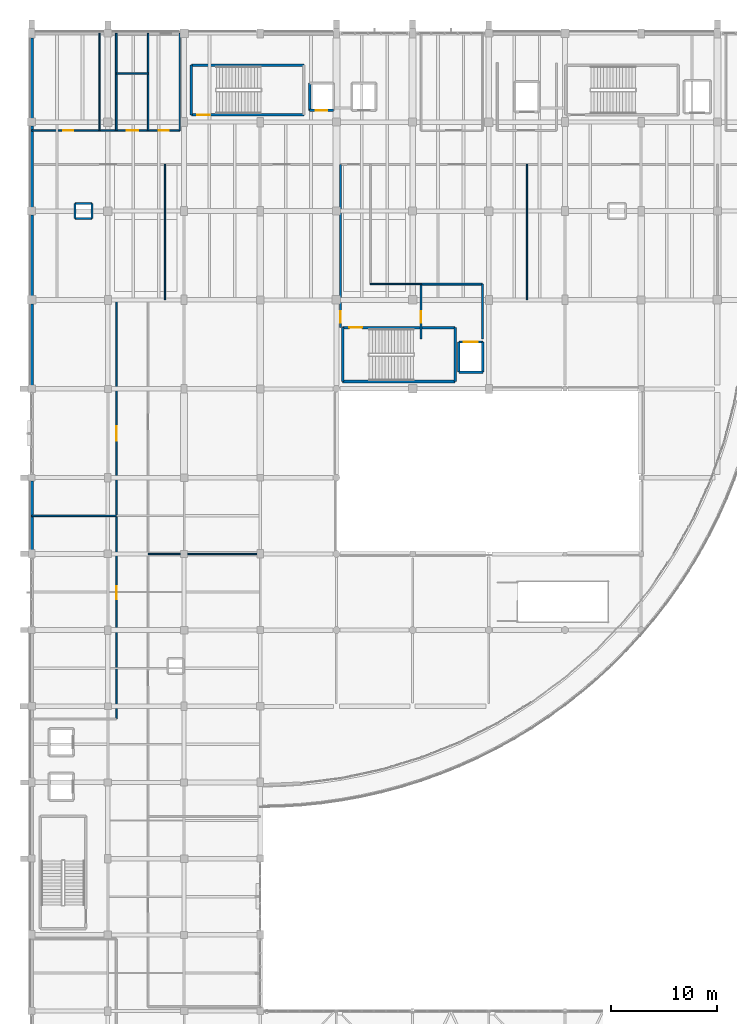
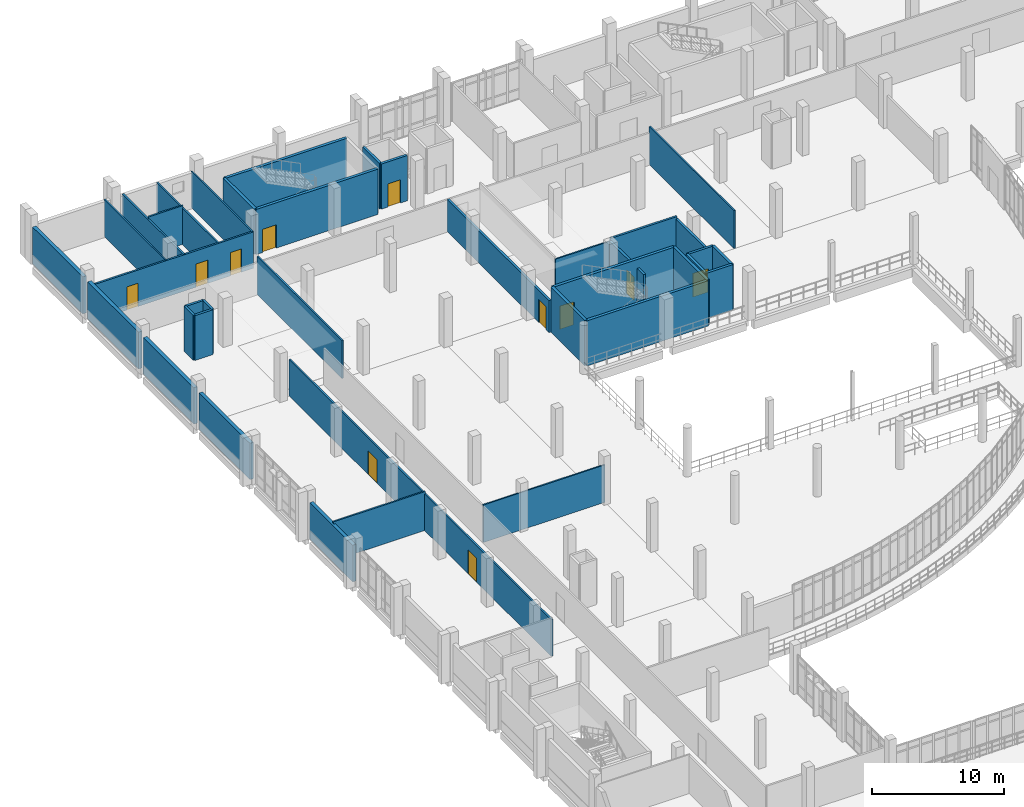
# One storey, part 103 of 116: 38 walls, 11 doors, 11 openings.
"""IFC4 building model written with IfcOpenShell, lengths in metres."""

from ifc_helpers import new_model, si_unit, direction, frame, frame_2d, origin, place, context, subcontext, project, spatial, rectangle, extrude, material, layer, layer_set, type_object, element, fill, save


model = new_model("IFC4")

# Units and contexts
model_context = context("Model", 3, precision=1e-05, world=origin(), true_north=direction((0.0, 1.0)))
body_context = subcontext(model_context, "Body", "Model", "MODEL_VIEW")
ifc_project = project(units=[si_unit("LENGTHUNIT", "METRE"), si_unit("AREAUNIT", "SQUARE_METRE"), si_unit("VOLUMEUNIT", "CUBIC_METRE"), si_unit("PLANEANGLEUNIT", "RADIAN"), si_unit("MASSUNIT", "GRAM", prefix="KILO")], contexts=[model_context])

# Site, building, storey
site_placement = place(None, origin())
site = spatial("IfcSite", under=ifc_project, at=site_placement, CompositionType="ELEMENT")
building_placement = place(site_placement, origin())
building = spatial("IfcBuilding", under=site, at=building_placement, Name="Kalluvel Institute of Natural Sciences", CompositionType="ELEMENT")
storey_placement = place(building_placement, frame((0.0, 0.0, 14.39990234375)))
storey = spatial("IfcBuildingStorey", under=building, at=storey_placement, Name="L03", CompositionType="ELEMENT", Elevation=14.39990234375)

# Wall, opening, door
ifc_material_1 = material(Name="Concrete M40", Category="concrete")
ifc_layer_1 = layer(ifc_material_1, 0.25)
ifc_layer_set_1 = layer_set([ifc_layer_1], Name="Concrete M40")
wall_type_1 = type_object("IfcWallType", Name="WL-CORE-250", PredefinedType="SHEAR", material=ifc_layer_set_1)
wall_1_placement = place(storey_placement, frame((29.0849609375, 120.284912109375, 0.0), z_axis=(0.0, 0.0, 1.0), x_axis=(1.0, 0.0, 0.0)))
wall_1 = element("IfcWall", 1, at=wall_1_placement, inside=storey, type_object=wall_type_1, Name="ST1 L03 core wall S", PredefinedType="SHEAR", context=body_context, shape_type="SweptSolid", body=[
    extrude(rectangle(XDim=10.630126953125, YDim=0.25, at=frame_2d((5.31494140625, 0.0))), origin(), (0.0, 0.0, 1.0), 4.175048828125),
])
opening_1_placement = place(wall_1_placement, frame((0.550048828125, 0.0, 0.0)))
opening_1 = element("IfcOpeningElement", 2, at=opening_1_placement, cuts=wall_1, Name="Opening DS-005", PredefinedType="OPENING", context=body_context, shape_type="SweptSolid", body=[
    extrude(rectangle(XDim=1.199951171875, YDim=2.14990234375, at=frame_2d((0.60009765625, 1.074951171875))), frame((0.0, 0.135009765625, 0.0), z_axis=(0.0, -1.0, 0.0), x_axis=(1.0, 0.0, 0.0)), (0.0, 0.0, 1.0), 0.27001953125),
])
ifc_material_2 = material(Name="Galvanized Fire-Rated Steel", Category="steel")
door_type_1 = type_object("IfcDoorType", Name="DR-ST-1200", OperationType="NOTDEFINED", PredefinedType="DOOR", material=ifc_material_2)
door_1_placement = place(opening_1_placement, origin())
door_1 = element("IfcDoor", 3, at=door_1_placement, inside=storey, type_object=door_type_1, Name="ST1 L03 protected stair door DS-005", OperationType="SINGLE_SWING_LEFT", OverallHeight=2.14990234375, OverallWidth=1.199951171875, PredefinedType="DOOR", context=body_context, shape_type="SweptSolid", body=[
    extrude(rectangle(XDim=1.199951171875, YDim=2.14990234375, at=frame_2d((0.60009765625, 1.074951171875))), frame((0.0, 0.02490234375, 0.0), z_axis=(0.0, -1.0, 0.0), x_axis=(1.0, 0.0, 0.0)), (0.0, 0.0, 1.0), 0.050048828125),
])
fill(opening_1, door_1)

# Walls
wall_2_placement = place(storey_placement, frame((39.715087890625, 124.985107421875, 0.0), z_axis=(0.0, 0.0, 1.0), x_axis=(-1.0, 0.0, 0.0)))
element("IfcWall", 4, at=wall_2_placement, inside=storey, type_object=wall_type_1, Name="ST1 L03 core wall N", PredefinedType="SHEAR", context=body_context, shape_type="SweptSolid", body=[
    extrude(rectangle(XDim=10.630126953125, YDim=0.25, at=frame_2d((5.31494140625, 0.0))), origin(), (0.0, 0.0, 1.0), 4.175048828125),
])
wall_3_placement = place(storey_placement, frame((29.0849609375, 124.985107421875, 0.0), z_axis=(0.0, 0.0, 1.0), x_axis=(0.0, -1.0, 0.0)))
element("IfcWall", 5, at=wall_3_placement, inside=storey, type_object=wall_type_1, Name="ST1 L03 core wall W", PredefinedType="SHEAR", context=body_context, shape_type="SweptSolid", body=[
    extrude(rectangle(XDim=4.7001953125, YDim=0.25, at=frame_2d((2.35009765625, 0.0))), origin(), (0.0, 0.0, 1.0), 4.175048828125),
])
wall_4_placement = place(storey_placement, frame((43.385009765625, 95.0849609375, 0.0), z_axis=(0.0, 0.0, 1.0), x_axis=(1.0, 0.0, 0.0)))
element("IfcWall", 6, at=wall_4_placement, inside=storey, type_object=wall_type_1, Name="ST3 L03 core wall S", PredefinedType="SHEAR", context=body_context, shape_type="SweptSolid", body=[
    extrude(rectangle(XDim=10.6298828125, YDim=0.25, at=frame_2d((5.31494140625, 0.0))), origin(), (0.0, 0.0, 1.0), 4.175048828125),
])
wall_5_placement = place(storey_placement, frame((54.014892578125, 95.0849609375, 0.0), z_axis=(0.0, 0.0, 1.0), x_axis=(0.0, 1.0, 0.0)))
element("IfcWall", 7, at=wall_5_placement, inside=storey, type_object=wall_type_1, Name="ST3 L03 core wall E", PredefinedType="SHEAR", context=body_context, shape_type="SweptSolid", body=[
    extrude(rectangle(XDim=5.10009765625, YDim=0.25, at=frame_2d((2.550048828125, 0.0))), origin(), (0.0, 0.0, 1.0), 4.175048828125),
])

# Wall, opening, door
wall_6_placement = place(storey_placement, frame((54.014892578125, 100.18505859375, 0.0), z_axis=(0.0, 0.0, 1.0), x_axis=(-1.0, 0.0, 0.0)))
wall_6 = element("IfcWall", 8, at=wall_6_placement, inside=storey, type_object=wall_type_1, Name="ST3 L03 core wall N", PredefinedType="SHEAR", context=body_context, shape_type="SweptSolid", body=[
    extrude(rectangle(XDim=10.6298828125, YDim=0.25, at=frame_2d((5.31494140625, 0.0))), origin(), (0.0, 0.0, 1.0), 4.175048828125),
])
opening_2_placement = place(wall_6_placement, frame((8.780029296875, 0.0, 0.0)))
opening_2 = element("IfcOpeningElement", 9, at=opening_2_placement, cuts=wall_6, Name="Opening DS-027", PredefinedType="OPENING", context=body_context, shape_type="SweptSolid", body=[
    extrude(rectangle(XDim=1.199951171875, YDim=2.14990234375, at=frame_2d((0.60009765625, 1.074951171875))), frame((0.0, 0.135009765625, 0.0), z_axis=(0.0, -1.0, 0.0), x_axis=(1.0, 0.0, 0.0)), (0.0, 0.0, 1.0), 0.27001953125),
])
door_2_placement = place(opening_2_placement, origin())
door_2 = element("IfcDoor", 10, at=door_2_placement, inside=storey, type_object=door_type_1, Name="ST3 L03 protected stair door DS-027", OperationType="SINGLE_SWING_LEFT", OverallHeight=2.14990234375, OverallWidth=1.199951171875, PredefinedType="DOOR", context=body_context, shape_type="SweptSolid", body=[
    extrude(rectangle(XDim=1.199951171875, YDim=2.14990234375, at=frame_2d((0.60009765625, 1.074951171875))), frame((0.0, 0.02490234375, 0.0), z_axis=(0.0, -1.0, 0.0), x_axis=(1.0, 0.0, 0.0)), (0.0, 0.0, 1.0), 0.050048828125),
])
fill(opening_2, door_2)

# Walls
wall_7_placement = place(storey_placement, frame((43.385009765625, 100.18505859375, 0.0), z_axis=(0.0, 0.0, 1.0), x_axis=(0.0, -1.0, 0.0)))
element("IfcWall", 11, at=wall_7_placement, inside=storey, type_object=wall_type_1, Name="ST3 L03 core wall W", PredefinedType="SHEAR", context=body_context, shape_type="SweptSolid", body=[
    extrude(rectangle(XDim=5.10009765625, YDim=0.25, at=frame_2d((2.550048828125, 0.0))), origin(), (0.0, 0.0, 1.0), 4.175048828125),
])
ifc_material_3 = material(Name="Sadarahalli Grey Granite Ashlar Concrete M40", Category="masonry")
ifc_layer_2 = layer(ifc_material_3, 0.300048828125)
ifc_layer_set_2 = layer_set([ifc_layer_2], Name="Sadarahalli Grey Granite Ashlar Concrete M40")
wall_type_2 = type_object("IfcWallType", Name="WL-EXT-300", PredefinedType="SOLIDWALL", material=ifc_layer_set_2)
wall_8_placement = place(storey_placement, frame((14.0, 79.179931640625, 0.0), z_axis=(0.0, 0.0, 1.0), x_axis=(0.0, 1.0, 0.0)))
element("IfcWall", 12, at=wall_8_placement, inside=storey, type_object=wall_type_2, Name="L03 Sadarahalli granite exterior wall WL-EXT-L03-0175", PredefinedType="SOLIDWALL", context=body_context, shape_type="SweptSolid", body=[
    extrude(rectangle(XDim=6.51513671875, YDim=0.300048828125, at=frame_2d((3.257568359375, 0.0))), origin(), (0.0, 0.0, 1.0), 3.375),
])
wall_9_placement = place(storey_placement, frame((14.0, 94.72998046875, 0.0), z_axis=(0.0, 0.0, 1.0), x_axis=(0.0, 1.0, 0.0)))
element("IfcWall", 13, at=wall_9_placement, inside=storey, type_object=wall_type_2, Name="L03 Sadarahalli granite exterior wall WL-EXT-L03-0176", PredefinedType="SOLIDWALL", context=body_context, shape_type="SweptSolid", body=[
    extrude(rectangle(XDim=7.68994140625, YDim=0.300048828125, at=frame_2d((3.844970703125, 0.0))), origin(), (0.0, 0.0, 1.0), 3.35498046875),
])
ifc_layer_3 = layer(ifc_material_3, 0.320068359375)
ifc_layer_set_3 = layer_set([ifc_layer_3], Name="Sadarahalli Grey Granite Ashlar Concrete M40")
wall_type_3 = type_object("IfcWallType", Name="WL-EXT-320", PredefinedType="SOLIDWALL", material=ifc_layer_set_3)
wall_10_placement = place(storey_placement, frame((14.0, 103.179931640625, 0.0), z_axis=(0.0, 0.0, 1.0), x_axis=(0.0, 1.0, 0.0)))
element("IfcWall", 14, at=wall_10_placement, inside=storey, type_object=wall_type_3, Name="L03 Sadarahalli granite exterior wall WL-EXT-L03-0047", PredefinedType="SOLIDWALL", context=body_context, shape_type="SweptSolid", body=[
    extrude(rectangle(XDim=7.6650390625, YDim=0.320068359375, at=frame_2d((3.83251953125, 0.0))), origin(), (0.0, 0.0, 1.0), 3.35498046875),
])
wall_11_placement = place(storey_placement, frame((14.0, 111.554931640625, 0.0), z_axis=(0.0, 0.0, 1.0), x_axis=(0.0, 1.0, 0.0)))
element("IfcWall", 15, at=wall_11_placement, inside=storey, type_object=wall_type_3, Name="L03 Sadarahalli granite exterior wall WL-EXT-L03-0048", PredefinedType="SOLIDWALL", context=body_context, shape_type="SweptSolid", body=[
    extrude(rectangle(XDim=7.690185546875, YDim=0.320068359375, at=frame_2d((3.84521484375, 0.0))), origin(), (0.0, 0.0, 1.0), 3.405029296875),
])
wall_12_placement = place(storey_placement, frame((14.0, 119.955078125, 0.0), z_axis=(0.0, 0.0, 1.0), x_axis=(0.0, 1.0, 0.0)))
element("IfcWall", 16, at=wall_12_placement, inside=storey, type_object=wall_type_3, Name="L03 Sadarahalli granite exterior wall WL-EXT-L03-0049", PredefinedType="SOLIDWALL", context=body_context, shape_type="SweptSolid", body=[
    extrude(rectangle(XDim=7.614990234375, YDim=0.320068359375, at=frame_2d((3.8076171875, 0.0))), origin(), (0.0, 0.0, 1.0), 3.405029296875),
])
ifc_material_4 = material(Name="Autoclaved Aerated Concrete Masonry Block", Category="masonry")
ifc_layer_4 = layer(ifc_material_4, 0.179931640625)
ifc_layer_set_4 = layer_set([ifc_layer_4], Name="Autoclaved Aerated Concrete Masonry Block")
wall_type_4 = type_object("IfcWallType", Name="WL-FIRE-180", PredefinedType="SOLIDWALL", material=ifc_layer_set_4)
wall_13_placement = place(storey_placement, frame((50.800048828125, 104.300048828125, 0.0), z_axis=(0.0, 0.0, 1.0), x_axis=(1.0, 0.0, 0.0)))
element("IfcWall", 17, at=wall_13_placement, inside=storey, type_object=wall_type_4, Name="L03 interior fire wall WL-INT-L03-0169", PredefinedType="SOLIDWALL", context=body_context, shape_type="SweptSolid", body=[
    extrude(rectangle(XDim=5.800048828125, YDim=0.179931640625, at=frame_2d((2.89990234375, 0.0))), origin(), (0.0, 0.0, 1.0), 3.56005859375),
])

# Wall, opening, door
ifc_layer_5 = layer(ifc_material_4, 0.199951171875)
ifc_layer_set_5 = layer_set([ifc_layer_5], Name="Autoclaved Aerated Concrete Masonry Block")
wall_type_5 = type_object("IfcWallType", Name="WL-FIRE-200", PredefinedType="SOLIDWALL", material=ifc_layer_set_5)
wall_14_placement = place(storey_placement, frame((50.800048828125, 99.10009765625, 0.0), z_axis=(0.0, 0.0, 1.0), x_axis=(0.0, 1.0, 0.0)))
wall_14 = element("IfcWall", 18, at=wall_14_placement, inside=storey, type_object=wall_type_5, Name="L03 interior fire wall WL-INT-L03-0167", PredefinedType="SOLIDWALL", context=body_context, shape_type="SweptSolid", body=[
    extrude(rectangle(XDim=5.199951171875, YDim=0.199951171875, at=frame_2d((2.60009765625, 0.0))), origin(), (0.0, 0.0, 1.0), 3.360107421875),
])
opening_3_placement = place(wall_14_placement, frame((1.550048828125, 0.0, 0.0)))
opening_3 = element("IfcOpeningElement", 19, at=opening_3_placement, cuts=wall_14, Name="Opening D-145", PredefinedType="OPENING", context=body_context, shape_type="SweptSolid", body=[
    extrude(rectangle(XDim=1.10009765625, YDim=2.14990234375, at=frame_2d((0.550048828125, 1.074951171875))), frame((0.0, 0.10986328125, 0.0), z_axis=(0.0, -1.0, 0.0), x_axis=(1.0, 0.0, 0.0)), (0.0, 0.0, 1.0), 0.219970703125),
])
door_type_2 = type_object("IfcDoorType", Name="DR-FD60-1100", OperationType="NOTDEFINED", PredefinedType="DOOR", material=ifc_material_2)
door_3_placement = place(opening_3_placement, origin())
door_3 = element("IfcDoor", 20, at=door_3_placement, inside=storey, type_object=door_type_2, Name="L03 ST3-FF2 link door D-145", OperationType="SINGLE_SWING_LEFT", OverallHeight=2.14990234375, OverallWidth=1.10009765625, PredefinedType="DOOR", context=body_context, shape_type="SweptSolid", body=[
    extrude(rectangle(XDim=1.10009765625, YDim=2.14990234375, at=frame_2d((0.550048828125, 1.074951171875))), frame((0.0, 0.02490234375, 0.0), z_axis=(0.0, -1.0, 0.0), x_axis=(1.0, 0.0, 0.0)), (0.0, 0.0, 1.0), 0.050048828125),
])
fill(opening_3, door_3)

# Wall
wall_15_placement = place(storey_placement, frame((56.60009765625, 99.10009765625, 0.0), z_axis=(0.0, 0.0, 1.0), x_axis=(0.0, 1.0, 0.0)))
element("IfcWall", 21, at=wall_15_placement, inside=storey, type_object=wall_type_5, Name="L03 interior fire wall WL-INT-L03-0168", PredefinedType="SOLIDWALL", context=body_context, shape_type="SweptSolid", body=[
    extrude(rectangle(XDim=5.199951171875, YDim=0.199951171875, at=frame_2d((2.60009765625, 0.0))), origin(), (0.0, 0.0, 1.0), 3.360107421875),
])

# Wall, opening, door
wall_16_placement = place(storey_placement, frame((43.199951171875, 100.199951171875, 0.0), z_axis=(0.0, 0.0, 1.0), x_axis=(0.0, 1.0, 0.0)))
wall_16 = element("IfcWall", 22, at=wall_16_placement, inside=storey, type_object=wall_type_5, Name="L03 interior fire wall WL-INT-L03-0170", PredefinedType="SOLIDWALL", context=body_context, shape_type="SweptSolid", body=[
    extrude(rectangle(XDim=15.400146484375, YDim=0.199951171875, at=frame_2d((7.7001953125, 0.0))), origin(), (0.0, 0.0, 1.0), 2.960205078125),
])
opening_4_placement = place(wall_16_placement, frame((0.449951171875, 0.0, 0.0)))
opening_4 = element("IfcOpeningElement", 23, at=opening_4_placement, cuts=wall_16, Name="Opening D-146", PredefinedType="OPENING", context=body_context, shape_type="SweptSolid", body=[
    extrude(rectangle(XDim=1.10009765625, YDim=2.14990234375, at=frame_2d((0.550048828125, 1.074951171875))), frame((0.0, 0.10986328125, 0.0), z_axis=(0.0, -1.0, 0.0), x_axis=(1.0, 0.0, 0.0)), (0.0, 0.0, 1.0), 0.219970703125),
])
door_4_placement = place(opening_4_placement, origin())
door_4 = element("IfcDoor", 24, at=door_4_placement, inside=storey, type_object=door_type_2, Name="L03 Concourse to Central Stair door D-146", OperationType="SINGLE_SWING_LEFT", OverallHeight=2.14990234375, OverallWidth=1.10009765625, PredefinedType="DOOR", context=body_context, shape_type="SweptSolid", body=[
    extrude(rectangle(XDim=1.10009765625, YDim=2.14990234375, at=frame_2d((0.550048828125, 1.074951171875))), frame((0.0, 0.02490234375, 0.0), z_axis=(0.0, -1.0, 0.0), x_axis=(1.0, 0.0, 0.0)), (0.0, 0.0, 1.0), 0.050048828125),
])
fill(opening_4, door_4)

# Walls
ifc_material_5 = material(Name="Acoustic Gypsum Twin-Stud Partition", Category="gypsum")
ifc_layer_6 = layer(ifc_material_5, 0.1201171875)
ifc_layer_set_6 = layer_set([ifc_layer_6], Name="Acoustic Gypsum Twin-Stud Partition")
wall_type_6 = type_object("IfcWallType", Name="WL-PART-120", PredefinedType="PARTITIONING", material=ifc_layer_set_6)
wall_17_placement = place(storey_placement, frame((46.0, 104.300048828125, 0.0), z_axis=(0.0, 0.0, 1.0), x_axis=(1.0, 0.0, 0.0)))
element("IfcWall", 25, at=wall_17_placement, inside=storey, type_object=wall_type_6, Name="L03 interior partition wall WL-INT-L03-0172", PredefinedType="PARTITIONING", context=body_context, shape_type="SweptSolid", body=[
    extrude(rectangle(XDim=4.800048828125, YDim=0.1201171875, at=frame_2d((2.39990234375, 0.0))), origin(), (0.0, 0.0, 1.0), 3.31005859375),
])
wall_18_placement = place(storey_placement, frame((20.39990234375, 118.800048828125, 0.0), z_axis=(0.0, 0.0, 1.0), x_axis=(0.0, 1.0, 0.0)))
element("IfcWall", 26, at=wall_18_placement, inside=storey, type_object=wall_type_6, Name="L03 interior partition wall WL-INT-L03-0175", PredefinedType="PARTITIONING", context=body_context, shape_type="SweptSolid", body=[
    extrude(rectangle(XDim=9.199951171875, YDim=0.1201171875, at=frame_2d((4.60009765625, 0.0))), origin(), (0.0, 0.0, 1.0), 3.41015625),
])
wall_19_placement = place(storey_placement, frame((28.0, 118.800048828125, 0.0), z_axis=(0.0, 0.0, 1.0), x_axis=(0.0, 1.0, 0.0)))
element("IfcWall", 27, at=wall_19_placement, inside=storey, type_object=wall_type_6, Name="L03 interior partition wall WL-INT-L03-0178", PredefinedType="PARTITIONING", context=body_context, shape_type="SweptSolid", body=[
    extrude(rectangle(XDim=9.199951171875, YDim=0.1201171875, at=frame_2d((4.60009765625, 0.0))), origin(), (0.0, 0.0, 1.0), 3.360107421875),
])
wall_20_placement = place(storey_placement, frame((60.800048828125, 102.800048828125, 0.0), z_axis=(0.0, 0.0, 1.0), x_axis=(0.0, 1.0, 0.0)))
element("IfcWall", 28, at=wall_20_placement, inside=storey, type_object=wall_type_6, Name="L03 interior partition wall WL-INT-L03-0187", PredefinedType="PARTITIONING", context=body_context, shape_type="SweptSolid", body=[
    extrude(rectangle(XDim=12.800048828125, YDim=0.1201171875, at=frame_2d((6.39990234375, 0.0))), origin(), (0.0, 0.0, 1.0), 3.510009765625),
])
wall_21_placement = place(storey_placement, frame((25.0, 78.800048828125, 0.0), z_axis=(0.0, 0.0, 1.0), x_axis=(1.0, 0.0, 0.0)))
element("IfcWall", 29, at=wall_21_placement, inside=storey, type_object=wall_type_6, Name="L03 interior partition wall WL-INT-L03-0196", PredefinedType="PARTITIONING", context=body_context, shape_type="SweptSolid", body=[
    extrude(rectangle(XDim=10.60009765625, YDim=0.1201171875, at=frame_2d((5.300048828125, 0.0))), origin(), (0.0, 0.0, 1.0), 3.460205078125),
])
ifc_layer_7 = layer(ifc_material_5, 0.139892578125)
ifc_layer_set_7 = layer_set([ifc_layer_7], Name="Acoustic Gypsum Twin-Stud Partition")
wall_type_7 = type_object("IfcWallType", Name="WL-PART-140", PredefinedType="PARTITIONING", material=ifc_layer_set_7)
wall_22_placement = place(storey_placement, frame((22.0, 124.199951171875, 0.0), z_axis=(0.0, 0.0, 1.0), x_axis=(1.0, 0.0, 0.0)))
element("IfcWall", 30, at=wall_22_placement, inside=storey, type_object=wall_type_7, Name="L03 interior partition wall WL-INT-L03-0174", PredefinedType="PARTITIONING", context=body_context, shape_type="SweptSolid", body=[
    extrude(rectangle(XDim=3.0, YDim=0.139892578125, at=frame_2d((1.5, 0.0))), origin(), (0.0, 0.0, 1.0), 3.56005859375),
])
wall_23_placement = place(storey_placement, frame((25.0, 118.800048828125, 0.0), z_axis=(0.0, 0.0, 1.0), x_axis=(0.0, 1.0, 0.0)))
element("IfcWall", 31, at=wall_23_placement, inside=storey, type_object=wall_type_7, Name="L03 interior partition wall WL-INT-L03-0177", PredefinedType="PARTITIONING", context=body_context, shape_type="SweptSolid", body=[
    extrude(rectangle(XDim=9.199951171875, YDim=0.139892578125, at=frame_2d((4.60009765625, 0.0))), origin(), (0.0, 0.0, 1.0), 3.360107421875),
])
wall_24_placement = place(storey_placement, frame((26.60009765625, 102.800048828125, 0.0), z_axis=(0.0, 0.0, 1.0), x_axis=(0.0, 1.0, 0.0)))
element("IfcWall", 32, at=wall_24_placement, inside=storey, type_object=wall_type_7, Name="L03 interior partition wall WL-INT-L03-0186", PredefinedType="PARTITIONING", context=body_context, shape_type="SweptSolid", body=[
    extrude(rectangle(XDim=12.800048828125, YDim=0.139892578125, at=frame_2d((6.39990234375, 0.0))), origin(), (0.0, 0.0, 1.0), 3.510009765625),
])

# Wall, openings, doors
wall_25_placement = place(storey_placement, frame((22.0, 63.199951171875, 0.0), z_axis=(0.0, 0.0, 1.0), x_axis=(0.0, 1.0, 0.0)))
wall_25 = element("IfcWall", 33, at=wall_25_placement, inside=storey, type_object=wall_type_7, Name="L03 interior partition wall WL-INT-L03-0198", PredefinedType="PARTITIONING", context=body_context, shape_type="SweptSolid", body=[
    extrude(rectangle(XDim=39.60009765625, YDim=0.139892578125, at=frame_2d((19.800048828125, 0.0))), origin(), (0.0, 0.0, 1.0), 3.380126953125),
])
opening_5_placement = place(wall_25_placement, frame((11.300048828125, 0.0, 0.0)))
opening_5 = element("IfcOpeningElement", 34, at=opening_5_placement, cuts=wall_25, Name="Opening D-166", PredefinedType="OPENING", context=body_context, shape_type="SweptSolid", body=[
    extrude(rectangle(XDim=1.25, YDim=2.199951171875, at=frame_2d((0.625, 1.10009765625))), frame((0.0, 0.079833984375, 0.0), z_axis=(0.0, -1.0, 0.0), x_axis=(1.0, 0.0, 0.0)), (0.0, 0.0, 1.0), 0.159912109375),
])
opening_6_placement = place(wall_25_placement, frame((26.300048828125, 0.0, 0.0)))
opening_6 = element("IfcOpeningElement", 35, at=opening_6_placement, cuts=wall_25, Name="Opening D-167", PredefinedType="OPENING", context=body_context, shape_type="SweptSolid", body=[
    extrude(rectangle(XDim=1.35009765625, YDim=2.199951171875, at=frame_2d((0.675048828125, 1.10009765625))), frame((0.0, 0.079833984375, 0.0), z_axis=(0.0, -1.0, 0.0), x_axis=(1.0, 0.0, 0.0)), (0.0, 0.0, 1.0), 0.159912109375),
])
ifc_material_6 = material(Name="Engineered Hardwood Acoustic Leaf", Category="wood")
door_type_3 = type_object("IfcDoorType", Name="DR-INT-1250", OperationType="NOTDEFINED", PredefinedType="DOOR", material=ifc_material_6)
door_5_placement = place(opening_5_placement, origin())
door_5 = element("IfcDoor", 36, at=door_5_placement, inside=storey, type_object=door_type_3, Name="L03 DW-N1 door D-166", OperationType="SINGLE_SWING_LEFT", OverallHeight=2.199951171875, OverallWidth=1.25, PredefinedType="DOOR", context=body_context, shape_type="SweptSolid", body=[
    extrude(rectangle(XDim=1.25, YDim=2.199951171875, at=frame_2d((0.625, 1.10009765625))), frame((0.0, 0.02490234375, 0.0), z_axis=(0.0, -1.0, 0.0), x_axis=(1.0, 0.0, 0.0)), (0.0, 0.0, 1.0), 0.050048828125),
])
fill(opening_5, door_5)
ifc_material_7 = material(Name="Aluminium AW-6063 T6", Category="aluminium")
door_type_4 = type_object("IfcDoorType", Name="DR-INT-1350", OperationType="NOTDEFINED", PredefinedType="DOOR", material=ifc_material_7)
door_6_placement = place(opening_6_placement, origin())
door_6 = element("IfcDoor", 37, at=door_6_placement, inside=storey, type_object=door_type_4, Name="L03 DW-N2 door D-167", OperationType="SINGLE_SWING_RIGHT", OverallHeight=2.199951171875, OverallWidth=1.35009765625, PredefinedType="DOOR", context=body_context, shape_type="SweptSolid", body=[
    extrude(rectangle(XDim=1.35009765625, YDim=2.199951171875, at=frame_2d((0.675048828125, 1.10009765625))), frame((0.0, 0.02490234375, 0.0), z_axis=(0.0, -1.0, 0.0), x_axis=(1.0, 0.0, 0.0)), (0.0, 0.0, 1.0), 0.050048828125),
])
fill(opening_6, door_6)

# Wall
wall_26_placement = place(storey_placement, frame((14.0, 82.39990234375, 0.0), z_axis=(0.0, 0.0, 1.0), x_axis=(1.0, 0.0, 0.0)))
element("IfcWall", 38, at=wall_26_placement, inside=storey, type_object=wall_type_7, Name="L03 interior partition wall WL-INT-L03-0201", PredefinedType="PARTITIONING", context=body_context, shape_type="SweptSolid", body=[
    extrude(rectangle(XDim=8.0, YDim=0.139892578125, at=frame_2d((4.0, 0.0))), origin(), (0.0, 0.0, 1.0), 3.580078125),
])

# Wall, openings, doors
ifc_layer_8 = layer(ifc_material_4, 0.159912109375)
ifc_layer_set_8 = layer_set([ifc_layer_8], Name="Autoclaved Aerated Concrete Masonry Block")
wall_type_8 = type_object("IfcWallType", Name="WL-PART-160", PredefinedType="PARTITIONING", material=ifc_layer_set_8)
wall_27_placement = place(storey_placement, frame((14.0, 118.800048828125, 0.0), z_axis=(0.0, 0.0, 1.0), x_axis=(1.0, 0.0, 0.0)))
wall_27 = element("IfcWall", 39, at=wall_27_placement, inside=storey, type_object=wall_type_8, Name="L03 interior partition wall WL-INT-L03-0173", PredefinedType="PARTITIONING", context=body_context, shape_type="SweptSolid", body=[
    extrude(rectangle(XDim=14.0, YDim=0.159912109375, at=frame_2d((7.0, 0.0))), origin(), (0.0, 0.0, 1.0), 3.360107421875),
])
opening_7_placement = place(wall_27_placement, frame((3.0, 0.0, 0.0)))
opening_7 = element("IfcOpeningElement", 40, at=opening_7_placement, cuts=wall_27, Name="Opening D-147", PredefinedType="OPENING", context=body_context, shape_type="SweptSolid", body=[
    extrude(rectangle(XDim=0.949951171875, YDim=2.14990234375, at=frame_2d((0.47509765625, 1.074951171875))), frame((0.0, 0.08984375, 0.0), z_axis=(0.0, -1.0, 0.0), x_axis=(1.0, 0.0, 0.0)), (0.0, 0.0, 1.0), 0.179931640625),
])
opening_8_placement = place(wall_27_placement, frame((9.0, 0.0, 0.0)))
opening_8 = element("IfcOpeningElement", 41, at=opening_8_placement, cuts=wall_27, Name="Opening D-148", PredefinedType="OPENING", context=body_context, shape_type="SweptSolid", body=[
    extrude(rectangle(XDim=1.050048828125, YDim=2.14990234375, at=frame_2d((0.52490234375, 1.074951171875))), frame((0.0, 0.08984375, 0.0), z_axis=(0.0, -1.0, 0.0), x_axis=(1.0, 0.0, 0.0)), (0.0, 0.0, 1.0), 0.179931640625),
])
opening_9_placement = place(wall_27_placement, frame((12.0, 0.0, 0.0)))
opening_9 = element("IfcOpeningElement", 42, at=opening_9_placement, cuts=wall_27, Name="Opening D-149", PredefinedType="OPENING", context=body_context, shape_type="SweptSolid", body=[
    extrude(rectangle(XDim=0.949951171875, YDim=2.14990234375, at=frame_2d((0.47509765625, 1.074951171875))), frame((0.0, 0.08984375, 0.0), z_axis=(0.0, -1.0, 0.0), x_axis=(1.0, 0.0, 0.0)), (0.0, 0.0, 1.0), 0.179931640625),
])
door_type_5 = type_object("IfcDoorType", Name="DR-ACC-1050", OperationType="NOTDEFINED", PredefinedType="DOOR", material=ifc_material_6)
door_7_placement = place(opening_8_placement, origin())
door_7 = element("IfcDoor", 43, at=door_7_placement, inside=storey, type_object=door_type_5, Name="L03 Accessible WC door D-148", OperationType="SINGLE_SWING_RIGHT", OverallHeight=2.14990234375, OverallWidth=1.050048828125, PredefinedType="DOOR", context=body_context, shape_type="SweptSolid", body=[
    extrude(rectangle(XDim=1.050048828125, YDim=2.14990234375, at=frame_2d((0.52490234375, 1.074951171875))), frame((0.0, 0.02490234375, 0.0), z_axis=(0.0, -1.0, 0.0), x_axis=(1.0, 0.0, 0.0)), (0.0, 0.0, 1.0), 0.050048828125),
])
fill(opening_8, door_7)
door_type_6 = type_object("IfcDoorType", Name="DR-INT-950", OperationType="NOTDEFINED", PredefinedType="DOOR", material=ifc_material_6)
door_8_placement = place(opening_7_placement, origin())
door_8 = element("IfcDoor", 44, at=door_8_placement, inside=storey, type_object=door_type_6, Name="L03 Male WC door D-147", OperationType="SINGLE_SWING_LEFT", OverallHeight=2.14990234375, OverallWidth=0.949951171875, PredefinedType="DOOR", context=body_context, shape_type="SweptSolid", body=[
    extrude(rectangle(XDim=0.949951171875, YDim=2.14990234375, at=frame_2d((0.47509765625, 1.074951171875))), frame((0.0, 0.02490234375, 0.0), z_axis=(0.0, -1.0, 0.0), x_axis=(1.0, 0.0, 0.0)), (0.0, 0.0, 1.0), 0.050048828125),
])
fill(opening_7, door_8)
door_9_placement = place(opening_9_placement, origin())
door_9 = element("IfcDoor", 45, at=door_9_placement, inside=storey, type_object=door_type_6, Name="L03 Female WC door D-149", OperationType="SINGLE_SWING_LEFT", OverallHeight=2.14990234375, OverallWidth=0.949951171875, PredefinedType="DOOR", context=body_context, shape_type="SweptSolid", body=[
    extrude(rectangle(XDim=0.949951171875, YDim=2.14990234375, at=frame_2d((0.47509765625, 1.074951171875))), frame((0.0, 0.02490234375, 0.0), z_axis=(0.0, -1.0, 0.0), x_axis=(1.0, 0.0, 0.0)), (0.0, 0.0, 1.0), 0.050048828125),
])
fill(opening_9, door_9)

# Walls
wall_28_placement = place(storey_placement, frame((22.0, 118.800048828125, 0.0), z_axis=(0.0, 0.0, 1.0), x_axis=(0.0, 1.0, 0.0)))
element("IfcWall", 46, at=wall_28_placement, inside=storey, type_object=wall_type_8, Name="L03 interior partition wall WL-INT-L03-0176", PredefinedType="PARTITIONING", context=body_context, shape_type="SweptSolid", body=[
    extrude(rectangle(XDim=9.199951171875, YDim=0.159912109375, at=frame_2d((4.60009765625, 0.0))), origin(), (0.0, 0.0, 1.0), 3.360107421875),
])
ifc_layer_9 = layer(ifc_material_1, 0.199951171875)
ifc_layer_set_9 = layer_set([ifc_layer_9], Name="Concrete M40")
wall_type_9 = type_object("IfcWallType", Name="WL-RISER-200", PredefinedType="SHEAR", material=ifc_layer_set_9)
wall_29_placement = place(storey_placement, frame((18.10009765625, 110.5, 0.0), z_axis=(0.0, 0.0, 1.0), x_axis=(1.0, 0.0, 0.0)))
element("IfcWall", 47, at=wall_29_placement, inside=storey, type_object=wall_type_9, Name="RS-WET-W L03 service riser enclosure S", PredefinedType="SHEAR", context=body_context, shape_type="SweptSolid", body=[
    extrude(rectangle(XDim=1.599853515625, YDim=0.199951171875, at=frame_2d((0.7998046875, 0.0))), origin(), (0.0, 0.0, 1.0), 4.14013671875),
])
wall_30_placement = place(storey_placement, frame((19.699951171875, 110.5, 0.0), z_axis=(0.0, 0.0, 1.0), x_axis=(0.0, 1.0, 0.0)))
element("IfcWall", 48, at=wall_30_placement, inside=storey, type_object=wall_type_9, Name="RS-WET-W L03 service riser enclosure E", PredefinedType="SHEAR", context=body_context, shape_type="SweptSolid", body=[
    extrude(rectangle(XDim=1.39990234375, YDim=0.199951171875, at=frame_2d((0.699951171875, 0.0))), origin(), (0.0, 0.0, 1.0), 4.14013671875),
])
wall_31_placement = place(storey_placement, frame((19.699951171875, 111.89990234375, 0.0), z_axis=(0.0, 0.0, 1.0), x_axis=(-1.0, 0.0, 0.0)))
element("IfcWall", 49, at=wall_31_placement, inside=storey, type_object=wall_type_9, Name="RS-WET-W L03 service riser enclosure N", PredefinedType="SHEAR", context=body_context, shape_type="SweptSolid", body=[
    extrude(rectangle(XDim=1.599853515625, YDim=0.199951171875, at=frame_2d((0.7998046875, 0.0))), origin(), (0.0, 0.0, 1.0), 4.14013671875),
])
wall_32_placement = place(storey_placement, frame((18.10009765625, 111.89990234375, 0.0), z_axis=(0.0, 0.0, 1.0), x_axis=(0.0, -1.0, 0.0)))
element("IfcWall", 50, at=wall_32_placement, inside=storey, type_object=wall_type_9, Name="RS-WET-W L03 service riser enclosure W", PredefinedType="SHEAR", context=body_context, shape_type="SweptSolid", body=[
    extrude(rectangle(XDim=1.39990234375, YDim=0.199951171875, at=frame_2d((0.699951171875, 0.0))), origin(), (0.0, 0.0, 1.0), 4.14013671875),
])

# Wall, opening, door
ifc_layer_10 = layer(ifc_material_1, 0.219970703125)
ifc_layer_set_10 = layer_set([ifc_layer_10], Name="Concrete M40")
wall_type_10 = type_object("IfcWallType", Name="WL-SHAFT-220", PredefinedType="SHEAR", material=ifc_layer_set_10)
wall_33_placement = place(storey_placement, frame((40.27001953125, 120.719970703125, 0.0), z_axis=(0.0, 0.0, 1.0), x_axis=(1.0, 0.0, 0.0)))
wall_33 = element("IfcWall", 51, at=wall_33_placement, inside=storey, type_object=wall_type_10, Name="LF1 L03 lift shaft wall", PredefinedType="SHEAR", context=body_context, shape_type="SweptSolid", body=[
    extrude(rectangle(XDim=2.260009765625, YDim=0.219970703125, at=frame_2d((1.1298828125, 0.0))), origin(), (0.0, 0.0, 1.0), 4.175048828125),
])
opening_10_placement = place(wall_33_placement, frame((0.580078125, 0.0, 0.0)))
opening_10 = element("IfcOpeningElement", 52, at=opening_10_placement, cuts=wall_33, Name="Opening LD-005", PredefinedType="OPENING", context=body_context, shape_type="SweptSolid", body=[
    extrude(rectangle(XDim=1.10009765625, YDim=2.14990234375, at=frame_2d((0.550048828125, 1.074951171875))), frame((0.0, 0.119873046875, 0.0), z_axis=(0.0, -1.0, 0.0), x_axis=(1.0, 0.0, 0.0)), (0.0, 0.0, 1.0), 0.239990234375),
])
door_type_7 = type_object("IfcDoorType", Name="DR-LD-1100", OperationType="NOTDEFINED", PredefinedType="DOOR", material=ifc_material_2)
door_10_placement = place(opening_10_placement, origin())
door_10 = element("IfcDoor", 53, at=door_10_placement, inside=storey, type_object=door_type_7, Name="LF1 L03 sliding lift landing door LD-005", OperationType="DOUBLE_DOOR_SLIDING", OverallHeight=2.14990234375, OverallWidth=1.10009765625, PredefinedType="DOOR", context=body_context, shape_type="SweptSolid", body=[
    extrude(rectangle(XDim=1.10009765625, YDim=2.14990234375, at=frame_2d((0.550048828125, 1.074951171875))), frame((0.0, 0.02490234375, 0.0), z_axis=(0.0, -1.0, 0.0), x_axis=(1.0, 0.0, 0.0)), (0.0, 0.0, 1.0), 0.050048828125),
])
fill(opening_10, door_10)

# Walls
wall_34_placement = place(storey_placement, frame((40.27001953125, 123.280029296875, 0.0), z_axis=(0.0, 0.0, 1.0), x_axis=(0.0, -1.0, 0.0)))
element("IfcWall", 54, at=wall_34_placement, inside=storey, type_object=wall_type_10, Name="LF1 L03 lift shaft wall", PredefinedType="SHEAR", context=body_context, shape_type="SweptSolid", body=[
    extrude(rectangle(XDim=2.56005859375, YDim=0.219970703125, at=frame_2d((1.280029296875, 0.0))), origin(), (0.0, 0.0, 1.0), 4.175048828125),
])
wall_35_placement = place(storey_placement, frame((54.3701171875, 95.969970703125, 0.0), z_axis=(0.0, 0.0, 1.0), x_axis=(1.0, 0.0, 0.0)))
element("IfcWall", 55, at=wall_35_placement, inside=storey, type_object=wall_type_10, Name="LF8 L03 lift shaft wall", PredefinedType="SHEAR", context=body_context, shape_type="SweptSolid", body=[
    extrude(rectangle(XDim=2.259765625, YDim=0.219970703125, at=frame_2d((1.1298828125, 0.0))), origin(), (0.0, 0.0, 1.0), 4.175048828125),
])
wall_36_placement = place(storey_placement, frame((56.6298828125, 95.969970703125, 0.0), z_axis=(0.0, 0.0, 1.0), x_axis=(0.0, 1.0, 0.0)))
element("IfcWall", 56, at=wall_36_placement, inside=storey, type_object=wall_type_10, Name="LF8 L03 lift shaft wall", PredefinedType="SHEAR", context=body_context, shape_type="SweptSolid", body=[
    extrude(rectangle(XDim=2.860107421875, YDim=0.219970703125, at=frame_2d((1.43017578125, 0.0))), origin(), (0.0, 0.0, 1.0), 4.175048828125),
])

# Wall, opening, door
wall_37_placement = place(storey_placement, frame((56.6298828125, 98.830078125, 0.0), z_axis=(0.0, 0.0, 1.0), x_axis=(-1.0, 0.0, 0.0)))
wall_37 = element("IfcWall", 57, at=wall_37_placement, inside=storey, type_object=wall_type_10, Name="LF8 L03 lift shaft wall", PredefinedType="SHEAR", context=body_context, shape_type="SweptSolid", body=[
    extrude(rectangle(XDim=2.259765625, YDim=0.219970703125, at=frame_2d((1.1298828125, 0.0))), origin(), (0.0, 0.0, 1.0), 4.175048828125),
])
opening_11_placement = place(wall_37_placement, frame((0.47998046875, 0.0, 0.0)))
opening_11 = element("IfcOpeningElement", 58, at=opening_11_placement, cuts=wall_37, Name="Opening LD-063", PredefinedType="OPENING", context=body_context, shape_type="SweptSolid", body=[
    extrude(rectangle(XDim=1.300048828125, YDim=2.199951171875, at=frame_2d((0.64990234375, 1.10009765625))), frame((0.0, 0.119873046875, 0.0), z_axis=(0.0, -1.0, 0.0), x_axis=(1.0, 0.0, 0.0)), (0.0, 0.0, 1.0), 0.239990234375),
])
door_type_8 = type_object("IfcDoorType", Name="DR-LD-1300", OperationType="NOTDEFINED", PredefinedType="DOOR", material=ifc_material_2)
door_11_placement = place(opening_11_placement, origin())
door_11 = element("IfcDoor", 59, at=door_11_placement, inside=storey, type_object=door_type_8, Name="LF8 L03 sliding lift landing door LD-063", OperationType="DOUBLE_DOOR_SLIDING", OverallHeight=2.199951171875, OverallWidth=1.300048828125, PredefinedType="DOOR", context=body_context, shape_type="SweptSolid", body=[
    extrude(rectangle(XDim=1.300048828125, YDim=2.199951171875, at=frame_2d((0.64990234375, 1.10009765625))), frame((0.0, 0.02490234375, 0.0), z_axis=(0.0, -1.0, 0.0), x_axis=(1.0, 0.0, 0.0)), (0.0, 0.0, 1.0), 0.050048828125),
])
fill(opening_11, door_11)

# Wall
wall_38_placement = place(storey_placement, frame((54.3701171875, 98.830078125, 0.0), z_axis=(0.0, 0.0, 1.0), x_axis=(0.0, -1.0, 0.0)))
element("IfcWall", 60, at=wall_38_placement, inside=storey, type_object=wall_type_10, Name="LF8 L03 lift shaft wall", PredefinedType="SHEAR", context=body_context, shape_type="SweptSolid", body=[
    extrude(rectangle(XDim=2.860107421875, YDim=0.219970703125, at=frame_2d((1.43017578125, 0.0))), origin(), (0.0, 0.0, 1.0), 4.175048828125),
])

save(model, "model.ifc")
